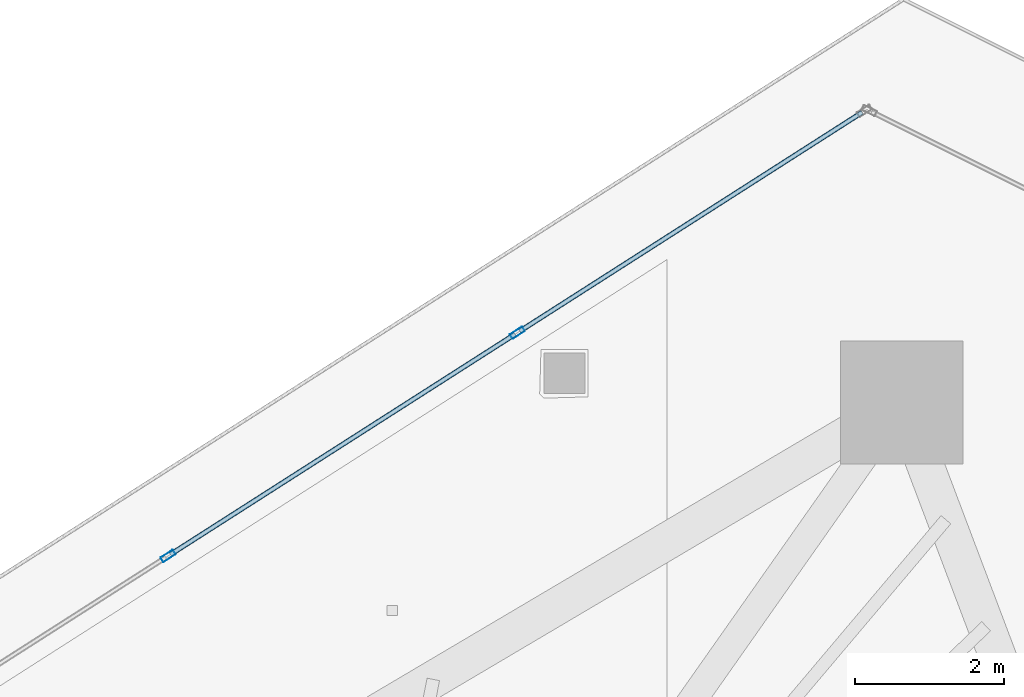
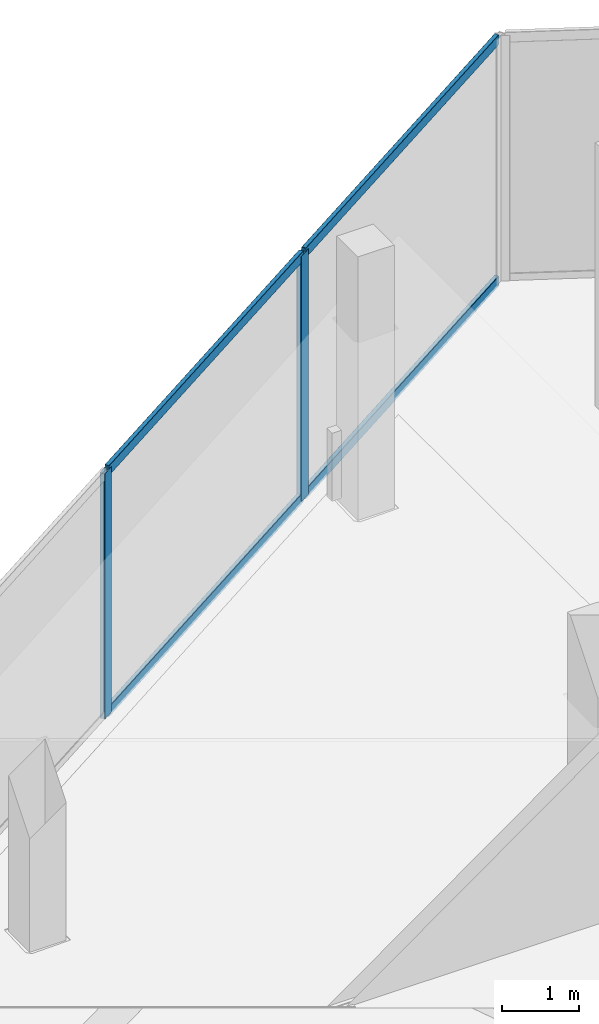
# One storey, part 19 of 34: 6 members, 1 element without a shape of its own.
"""IFC4 building model written with IfcOpenShell, lengths in metres."""

import ifcopenshell
import ifcopenshell.guid

model = None  # the IFC model being written
_history = None  # IfcOwnerHistory: only IFC2X3 demands one
_inside = {}  # id of a spatial element -> (the spatial element, [elements in it])
_under = {}  # id of a project, library or spatial element -> (it, [spatial elements below it])
_declared = {}  # id of a project -> (the project, [libraries it declares])
_typed = {}  # id of a type object -> (the type object, [elements of that type])
_made_of = {}  # id of a material, layer set ... -> (it, [elements and type objects made of it])


def new_model(schema):
    """Start an empty IFC model of exactly this schema.

    Asked for "IFC4X3", IfcOpenShell would pick the latest addendum, in which some entities
    have other attributes; the version numbers below select the first issue.
    IFC2X3 requires an IfcOwnerHistory on every rooted entity: one is made here for all.
    """
    global model, _history
    if schema == "IFC4X3":
        model = ifcopenshell.file(schema_version=(4, 3, 0, 0))
    else:
        model = ifcopenshell.file(schema=schema)
    _inside.clear()
    _under.clear()
    _declared.clear()
    _typed.clear()
    _made_of.clear()
    _history = None
    if model.schema == "IFC2X3":
        org = make("IfcOrganization", Name="unknown")
        user = make(
            "IfcPersonAndOrganization",
            ThePerson=make("IfcPerson", FamilyName="unknown"),
            TheOrganization=org,
        )
        app = make(
            "IfcApplication",
            ApplicationDeveloper=org,
            Version="unknown",
            ApplicationFullName="unknown",
            ApplicationIdentifier="unknown",
        )
        _history = make(
            "IfcOwnerHistory",
            OwningUser=user,
            OwningApplication=app,
            ChangeAction="ADDED",
            CreationDate=0,
        )
    return model


def make(cls, **values):
    """One entity of the class cls with the attributes given. An attribute that is None is left unset."""
    return model.create_entity(
        cls, **{name: value for name, value in values.items() if value is not None}
    )


def rooted(cls, **values):
    """An entity with a GlobalId (a new one), such as an element, a storey or a relation."""
    return make(cls, GlobalId=ifcopenshell.guid.new(), OwnerHistory=_history, **values)


def si_unit(unit_type, name, prefix=None):
    """IfcSIUnit, for example si_unit("LENGTHUNIT", "METRE", prefix="MILLI")."""
    return make("IfcSIUnit", UnitType=unit_type, Prefix=prefix, Name=name)


def assignment(units):
    """IfcUnitAssignment: the units of a project."""
    return None if units is None else make("IfcUnitAssignment", Units=units)


def point(xyz):
    """IfcCartesianPoint."""
    return None if xyz is None else make("IfcCartesianPoint", Coordinates=xyz)


def direction(xyz):
    """IfcDirection."""
    return None if xyz is None else make("IfcDirection", DirectionRatios=xyz)


def frame(location, z_axis=None, x_axis=None):
    """IfcAxis2Placement3D, a coordinate frame: its origin and axes. An axis left out is left unset."""
    return make(
        "IfcAxis2Placement3D",
        Location=point(location),
        Axis=direction(z_axis),
        RefDirection=direction(x_axis),
    )


def frame_2d(location, x_axis=None):
    """IfcAxis2Placement2D, a coordinate frame in the plane: its origin and x axis."""
    return make(
        "IfcAxis2Placement2D", Location=point(location), RefDirection=direction(x_axis)
    )


def origin():
    """The frame at (0, 0, 0) with its axes left unset."""
    return frame((0.0, 0.0, 0.0))


def origin_2d():
    """The frame at (0, 0) in the plane with its x axis left unset."""
    return frame_2d((0.0, 0.0))


def place(relative_to, where):
    """IfcLocalPlacement: puts the frame where relative to a parent placement (None: the world)."""
    return make(
        "IfcLocalPlacement", PlacementRelTo=relative_to, RelativePlacement=where
    )


def context(
    kind, dimensions, precision=None, world=None, true_north=None, identifier=None
):
    """IfcGeometricRepresentationContext, for example the 3D "Model" context."""
    return make(
        "IfcGeometricRepresentationContext",
        ContextIdentifier=identifier,
        ContextType=kind,
        CoordinateSpaceDimension=dimensions,
        Precision=precision,
        WorldCoordinateSystem=world,
        TrueNorth=true_north,
    )


def subcontext(parent, identifier, kind, view, scale=None):
    """IfcGeometricRepresentationSubContext, for example "Body" below "Model"."""
    return make(
        "IfcGeometricRepresentationSubContext",
        ContextIdentifier=identifier,
        ContextType=kind,
        ParentContext=parent,
        TargetScale=scale,
        TargetView=view,
    )


def project(units=None, contexts=None):
    """IfcProject with its units and contexts."""
    return rooted(
        "IfcProject",
        Name="project",
        RepresentationContexts=contexts,
        UnitsInContext=assignment(units),
    )


def spatial(cls, under=None, at=None, **own):
    """A site, building, storey or space (cls), placed at a placement, below another one or the project."""
    s = rooted(cls, ObjectPlacement=at, **own)
    if under is not None:
        _under.setdefault(under.id(), (under, []))[1].append(s)
    return s


def profile(cls, at=None, kind="AREA", **sizes):
    """A parametric profile (cls). Its sizes go by their IFC names, for example OverallWidth=200.0."""
    return make(cls, ProfileType=kind, Position=at, **sizes)


def hollow_rectangle(**sizes):
    """IfcRectangleHollowProfileDef."""
    return profile("IfcRectangleHollowProfileDef", **sizes)


def extrude(swept, where, along, depth):
    """IfcExtrudedAreaSolid: the profile swept, set in the frame where, extruded along a direction by depth."""
    return make(
        "IfcExtrudedAreaSolid",
        SweptArea=swept,
        Position=where,
        ExtrudedDirection=direction(along),
        Depth=depth,
    )


def shape(context_of_items, identifier, shape_type, items):
    """IfcShapeRepresentation: the items that make up one representation, for example the "Body"."""
    return make(
        "IfcShapeRepresentation",
        ContextOfItems=context_of_items,
        RepresentationIdentifier=identifier,
        RepresentationType=shape_type,
        Items=items,
    )


def material(Name=None, Category=None):
    """IfcMaterial."""
    return make("IfcMaterial", Name=Name, Category=Category)


def layer(
    of_material, thickness, ventilated=None, Name=None, Category=None, Priority=None
):
    """IfcMaterialLayer: one layer of a wall or slab, of a material (None: an air gap)."""
    return make(
        "IfcMaterialLayer",
        Material=of_material,
        LayerThickness=thickness,
        IsVentilated=ventilated,
        Name=Name,
        Category=Category,
        Priority=Priority,
    )


def layer_set(layers, Name=None):
    """IfcMaterialLayerSet."""
    return make("IfcMaterialLayerSet", MaterialLayers=layers, LayerSetName=Name)


def material_profile(
    of_material, cross_section, Name=None, Category=None, Priority=None
):
    """IfcMaterialProfile: a cross section and its material."""
    return make(
        "IfcMaterialProfile",
        Name=Name,
        Material=of_material,
        Profile=cross_section,
        Priority=Priority,
        Category=Category,
    )


def profile_set(profiles, Name=None, composite=None):
    """IfcMaterialProfileSet."""
    return make(
        "IfcMaterialProfileSet",
        Name=Name,
        MaterialProfiles=profiles,
        CompositeProfile=composite,
    )


def made_of(thing, what):
    """Note that an element or type object is made of a material, layer set ...; save() writes the relation."""
    if what is not None:
        _made_of.setdefault(what.id(), (what, []))[1].append(thing)
    return thing


def type_object(cls, material=None, **own):
    """A type object (cls), such as IfcWallType, which elements share."""
    return made_of(rooted(cls, **own), material)


def element(
    cls,
    number,
    at=None,
    inside=None,
    cuts=None,
    type_object=None,
    material=None,
    context=None,
    identifier="Body",
    shape_type=None,
    held_by="IfcProductDefinitionShape",
    body=None,
    shapes=None,
    **own,
):
    """One element of the class cls, such as IfcWall. Its Tag is "e" and its number.

    at: its placement. inside: the storey or other place that contains it. cuts: it is an
    opening in that element (IfcRelVoidsElement). A single representation is given by context,
    identifier, shape_type and body (its items); several are given by shapes. held_by: the class
    of the entity that holds the representations. save() writes the other relations.
    """
    e = rooted(cls, Tag="e%d" % number, ObjectPlacement=at, **own)
    if body is not None:
        shapes = [shape(context, identifier, shape_type, body)]
    if shapes is not None:
        e.Representation = make(held_by, Representations=shapes)
    if inside is not None:
        _inside.setdefault(inside.id(), (inside, []))[1].append(e)
    if cuts is not None:
        rooted(
            "IfcRelVoidsElement", RelatingBuildingElement=cuts, RelatedOpeningElement=e
        )
    if type_object is not None:
        _typed.setdefault(type_object.id(), (type_object, []))[1].append(e)
    return made_of(e, material)


def aggregate(whole, parts):
    """IfcRelAggregates: a whole, such as a stair, and the parts it consists of."""
    return rooted("IfcRelAggregates", RelatingObject=whole, RelatedObjects=parts)


def save(model, path):
    """Write the relations noted so far, then the file.

    IfcRelAggregates (storeys below a building ...), IfcRelContainedInSpatialStructure (elements
    in a storey), IfcRelDefinesByType, IfcRelAssociatesMaterial and IfcRelDeclares: one each for
    every whole, place, type object, material and project.
    """
    for whole, parts in _under.values():
        aggregate(whole, parts)
    for where, things in _inside.values():
        rooted(
            "IfcRelContainedInSpatialStructure",
            RelatedElements=things,
            RelatingStructure=where,
        )
    for kind, things in _typed.values():
        rooted("IfcRelDefinesByType", RelatedObjects=things, RelatingType=kind)
    for what, things in _made_of.values():
        rooted("IfcRelAssociatesMaterial", RelatedObjects=things, RelatingMaterial=what)
    for by, libraries in _declared.values():
        rooted("IfcRelDeclares", RelatingContext=by, RelatedDefinitions=libraries)
    model.write(path)


model = new_model("IFC4")

# Units and contexts
model_context = context("Model", 3, precision=1e-05, world=origin(), true_north=direction((0.0, 1.0)))
body_context = subcontext(model_context, "Body", "Model", "MODEL_VIEW")
ifc_project = project(units=[si_unit("LENGTHUNIT", "METRE"), si_unit("AREAUNIT", "SQUARE_METRE"), si_unit("VOLUMEUNIT", "CUBIC_METRE"), si_unit("PLANEANGLEUNIT", "RADIAN"), si_unit("MASSUNIT", "GRAM", prefix="KILO")], contexts=[model_context])

# Site, building, storey
site_placement = place(None, origin())
site = spatial("IfcSite", under=ifc_project, at=site_placement, CompositionType="ELEMENT")
building_placement = place(site_placement, origin())
building = spatial("IfcBuilding", under=site, at=building_placement, Name="Qorvath Tower", CompositionType="ELEMENT")
storey_placement = place(building_placement, frame((0.0, 0.0, 268.199951171875)))
storey = spatial("IfcBuildingStorey", under=building, at=storey_placement, Name="L62", CompositionType="ELEMENT", Elevation=268.199951171875)

# Curtain wall, members
ifc_material_1 = material(Name="Anodised aluminium and triple low-E glass", Category="aluminium")
ifc_layer = layer(ifc_material_1, 0.179931640625)
ifc_layer_set = layer_set([ifc_layer], Name="CW-SYS-4")
curtain_wall_type = type_object("IfcCurtainWallType", Name="CW-SYS-4", PredefinedType="NOTDEFINED", material=ifc_layer_set)
curtain_wall_placement = place(storey_placement, origin())
curtain_wall = element("IfcCurtainWall", 1, at=curtain_wall_placement, inside=storey, type_object=curtain_wall_type, Name="Curtain Wall CW-4 CW-T-L62-16.1", PredefinedType="NOTDEFINED")
ifc_material_2 = material(Name="Anodised aluminium 6063-T6", Category="aluminium")
ifc_material_profile_1 = material_profile(ifc_material_2, hollow_rectangle(XDim=0.074951171875, YDim=0.199951171875, WallThickness=0.00390625, InnerFilletRadius=0.00390625, OuterFilletRadius=0.008056640625, at=origin_2d()), Name="CWM 200x75")
ifc_profile_set_1 = profile_set([ifc_material_profile_1], Name="Anodised aluminium 6063-T6")
member_type_1 = type_object("IfcMemberType", Name="CWM-200", PredefinedType="MULLION", material=ifc_profile_set_1)
member_1_placement = place(storey_placement, frame((-22.687255859375, 21.04150390625, 0.0), z_axis=(0.0, 0.0, 1.0), x_axis=(0.538533509281, -0.842604094093, 0.0)))
member_1 = element("IfcMember", 2, at=member_1_placement, type_object=member_type_1, Name="CW-4 mullion 2", PredefinedType="MULLION", context=body_context, shape_type="SweptSolid", body=[
    extrude(hollow_rectangle(XDim=0.074951171875, YDim=0.199951171875, WallThickness=0.00390625, InnerFilletRadius=0.00390625, OuterFilletRadius=0.008056640625, at=origin_2d()), origin(), (0.0, 0.0, 1.0), 3.91015625),
])
member_2_placement = place(storey_placement, frame((-27.390380859375, 18.03564453125, 0.0), z_axis=(0.0, 0.0, 1.0), x_axis=(0.538533509281, -0.842604094093, 0.0)))
member_2 = element("IfcMember", 3, at=member_2_placement, type_object=member_type_1, Name="CW-4 mullion 3", PredefinedType="MULLION", context=body_context, shape_type="SweptSolid", body=[
    extrude(hollow_rectangle(XDim=0.074951171875, YDim=0.199951171875, WallThickness=0.00390625, InnerFilletRadius=0.00390625, OuterFilletRadius=0.008056640625, at=origin_2d()), origin(), (0.0, 0.0, 1.0), 3.91015625),
])
ifc_material_3 = material(Name="Anodised aluminium 6063-T6", Category="aluminium")
ifc_material_profile_2 = material_profile(ifc_material_3, hollow_rectangle(XDim=0.06494140625, YDim=0.159912109375, WallThickness=0.00341796875, InnerFilletRadius=0.00341796875, OuterFilletRadius=0.007080078125, at=origin_2d()), Name="CWT 160x65")
ifc_profile_set_2 = profile_set([ifc_material_profile_2], Name="Anodised aluminium 6063-T6")
member_type_2 = type_object("IfcMemberType", Name="CWT-160", PredefinedType="USERDEFINED", material=ifc_profile_set_2)
member_3_placement = place(storey_placement, frame((-18.04736328125, 24.007080078125, 0.032470703125), z_axis=(-0.842608486836, -0.538526636215, 0.0), x_axis=(0.538526636215, -0.842608486836, 0.0)))
member_3 = element("IfcMember", 4, at=member_3_placement, type_object=member_type_2, Name="CW-4 transom 1.1", ObjectType="TRANSOM", PredefinedType="USERDEFINED", context=body_context, shape_type="SweptSolid", body=[
    extrude(hollow_rectangle(XDim=0.06494140625, YDim=0.159912109375, WallThickness=0.00341796875, InnerFilletRadius=0.00341796875, OuterFilletRadius=0.007080078125, at=origin_2d()), origin(), (0.0, 0.0, 1.0), 5.46923828125),
])
member_4_placement = place(storey_placement, frame((-18.04736328125, 24.007080078125, 3.877685546875), z_axis=(-0.842608486836, -0.538526636215, 0.0), x_axis=(0.538526636215, -0.842608486836, 0.0)))
member_4 = element("IfcMember", 5, at=member_4_placement, type_object=member_type_2, Name="CW-4 transom 1.2", ObjectType="TRANSOM", PredefinedType="USERDEFINED", context=body_context, shape_type="SweptSolid", body=[
    extrude(hollow_rectangle(XDim=0.06494140625, YDim=0.159912109375, WallThickness=0.00341796875, InnerFilletRadius=0.00341796875, OuterFilletRadius=0.007080078125, at=origin_2d()), origin(), (0.0, 0.0, 1.0), 5.46923828125),
])
member_5_placement = place(storey_placement, frame((-22.71875, 21.021240234375, 0.032470703125), z_axis=(-0.842610204835, -0.538523948129, 0.0), x_axis=(0.538523948129, -0.842610204835, 0.0)))
member_5 = element("IfcMember", 6, at=member_5_placement, type_object=member_type_2, Name="CW-4 transom 2.1", ObjectType="TRANSOM", PredefinedType="USERDEFINED", context=body_context, shape_type="SweptSolid", body=[
    extrude(hollow_rectangle(XDim=0.06494140625, YDim=0.159912109375, WallThickness=0.00341796875, InnerFilletRadius=0.00341796875, OuterFilletRadius=0.007080078125, at=origin_2d()), origin(), (0.0, 0.0, 1.0), 5.5068359375),
])
member_6_placement = place(storey_placement, frame((-22.71875, 21.021240234375, 3.877685546875), z_axis=(-0.842610204835, -0.538523948129, 0.0), x_axis=(0.538523948129, -0.842610204835, 0.0)))
member_6 = element("IfcMember", 7, at=member_6_placement, type_object=member_type_2, Name="CW-4 transom 2.2", ObjectType="TRANSOM", PredefinedType="USERDEFINED", context=body_context, shape_type="SweptSolid", body=[
    extrude(hollow_rectangle(XDim=0.06494140625, YDim=0.159912109375, WallThickness=0.00341796875, InnerFilletRadius=0.00341796875, OuterFilletRadius=0.007080078125, at=origin_2d()), origin(), (0.0, 0.0, 1.0), 5.5068359375),
])
aggregate(curtain_wall, [member_1, member_2, member_3, member_4, member_5, member_6])

save(model, "model.ifc")
